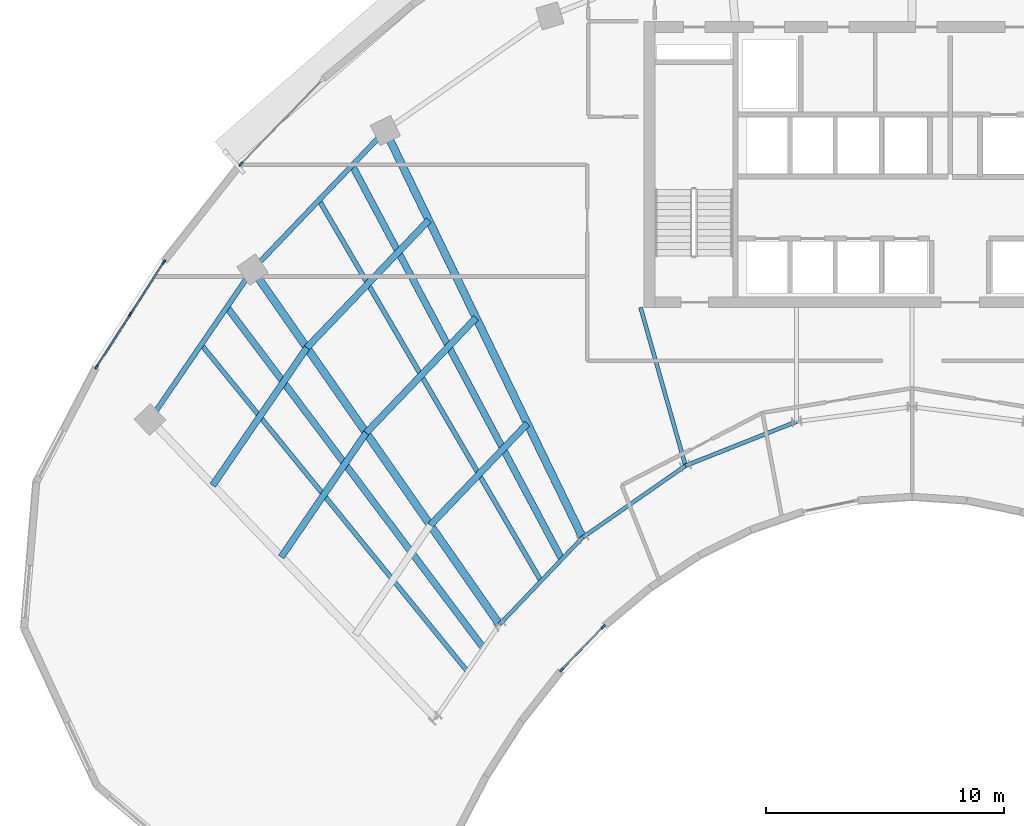
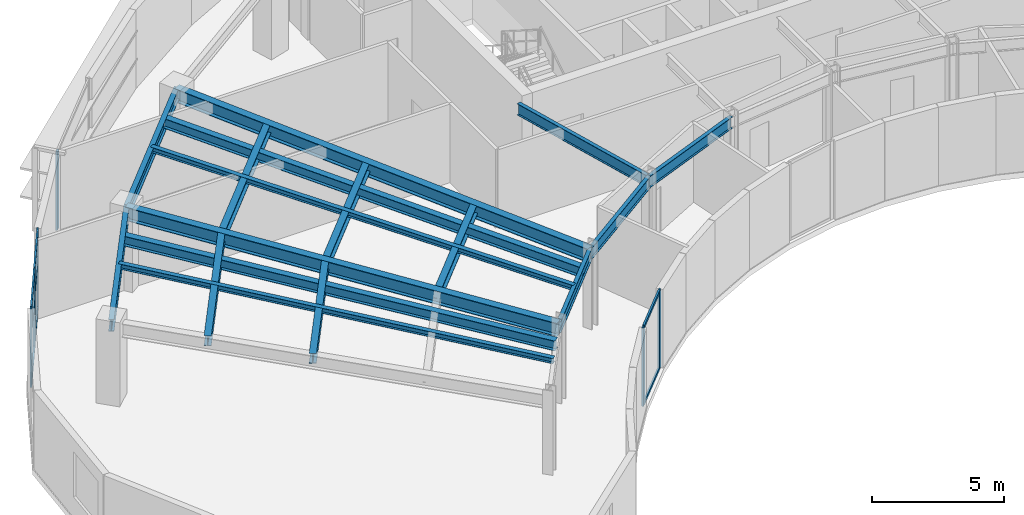
# One storey, part 2 of 13: 17 beams, 14 members, 3 elements without a shape of their own.
"""IFC4 building model written with IfcOpenShell, lengths in metres."""

import ifcopenshell
import ifcopenshell.guid

model = None  # the IFC model being written
_history = None  # IfcOwnerHistory: only IFC2X3 demands one
_inside = {}  # id of a spatial element -> (the spatial element, [elements in it])
_under = {}  # id of a project, library or spatial element -> (it, [spatial elements below it])
_declared = {}  # id of a project -> (the project, [libraries it declares])
_typed = {}  # id of a type object -> (the type object, [elements of that type])
_made_of = {}  # id of a material, layer set ... -> (it, [elements and type objects made of it])


def new_model(schema):
    """Start an empty IFC model of exactly this schema.

    Asked for "IFC4X3", IfcOpenShell would pick the latest addendum, in which some entities
    have other attributes; the version numbers below select the first issue.
    IFC2X3 requires an IfcOwnerHistory on every rooted entity: one is made here for all.
    """
    global model, _history
    if schema == "IFC4X3":
        model = ifcopenshell.file(schema_version=(4, 3, 0, 0))
    else:
        model = ifcopenshell.file(schema=schema)
    _inside.clear()
    _under.clear()
    _declared.clear()
    _typed.clear()
    _made_of.clear()
    _history = None
    if model.schema == "IFC2X3":
        org = make("IfcOrganization", Name="unknown")
        user = make(
            "IfcPersonAndOrganization",
            ThePerson=make("IfcPerson", FamilyName="unknown"),
            TheOrganization=org,
        )
        app = make(
            "IfcApplication",
            ApplicationDeveloper=org,
            Version="unknown",
            ApplicationFullName="unknown",
            ApplicationIdentifier="unknown",
        )
        _history = make(
            "IfcOwnerHistory",
            OwningUser=user,
            OwningApplication=app,
            ChangeAction="ADDED",
            CreationDate=0,
        )
    return model


def make(cls, **values):
    """One entity of the class cls with the attributes given. An attribute that is None is left unset."""
    return model.create_entity(
        cls, **{name: value for name, value in values.items() if value is not None}
    )


def rooted(cls, **values):
    """An entity with a GlobalId (a new one), such as an element, a storey or a relation."""
    return make(cls, GlobalId=ifcopenshell.guid.new(), OwnerHistory=_history, **values)


def si_unit(unit_type, name, prefix=None):
    """IfcSIUnit, for example si_unit("LENGTHUNIT", "METRE", prefix="MILLI")."""
    return make("IfcSIUnit", UnitType=unit_type, Prefix=prefix, Name=name)


def assignment(units):
    """IfcUnitAssignment: the units of a project."""
    return None if units is None else make("IfcUnitAssignment", Units=units)


def point(xyz):
    """IfcCartesianPoint."""
    return None if xyz is None else make("IfcCartesianPoint", Coordinates=xyz)


def direction(xyz):
    """IfcDirection."""
    return None if xyz is None else make("IfcDirection", DirectionRatios=xyz)


def frame(location, z_axis=None, x_axis=None):
    """IfcAxis2Placement3D, a coordinate frame: its origin and axes. An axis left out is left unset."""
    return make(
        "IfcAxis2Placement3D",
        Location=point(location),
        Axis=direction(z_axis),
        RefDirection=direction(x_axis),
    )


def frame_2d(location, x_axis=None):
    """IfcAxis2Placement2D, a coordinate frame in the plane: its origin and x axis."""
    return make(
        "IfcAxis2Placement2D", Location=point(location), RefDirection=direction(x_axis)
    )


def origin():
    """The frame at (0, 0, 0) with its axes left unset."""
    return frame((0.0, 0.0, 0.0))


def origin_2d():
    """The frame at (0, 0) in the plane with its x axis left unset."""
    return frame_2d((0.0, 0.0))


def place(relative_to, where):
    """IfcLocalPlacement: puts the frame where relative to a parent placement (None: the world)."""
    return make(
        "IfcLocalPlacement", PlacementRelTo=relative_to, RelativePlacement=where
    )


def context(
    kind, dimensions, precision=None, world=None, true_north=None, identifier=None
):
    """IfcGeometricRepresentationContext, for example the 3D "Model" context."""
    return make(
        "IfcGeometricRepresentationContext",
        ContextIdentifier=identifier,
        ContextType=kind,
        CoordinateSpaceDimension=dimensions,
        Precision=precision,
        WorldCoordinateSystem=world,
        TrueNorth=true_north,
    )


def subcontext(parent, identifier, kind, view, scale=None):
    """IfcGeometricRepresentationSubContext, for example "Body" below "Model"."""
    return make(
        "IfcGeometricRepresentationSubContext",
        ContextIdentifier=identifier,
        ContextType=kind,
        ParentContext=parent,
        TargetScale=scale,
        TargetView=view,
    )


def project(units=None, contexts=None):
    """IfcProject with its units and contexts."""
    return rooted(
        "IfcProject",
        Name="project",
        RepresentationContexts=contexts,
        UnitsInContext=assignment(units),
    )


def spatial(cls, under=None, at=None, **own):
    """A site, building, storey or space (cls), placed at a placement, below another one or the project."""
    s = rooted(cls, ObjectPlacement=at, **own)
    if under is not None:
        _under.setdefault(under.id(), (under, []))[1].append(s)
    return s


def profile(cls, at=None, kind="AREA", **sizes):
    """A parametric profile (cls). Its sizes go by their IFC names, for example OverallWidth=200.0."""
    return make(cls, ProfileType=kind, Position=at, **sizes)


def rectangle(**sizes):
    """IfcRectangleProfileDef."""
    return profile("IfcRectangleProfileDef", **sizes)


def i_section(**sizes):
    """IfcIShapeProfileDef."""
    return profile("IfcIShapeProfileDef", **sizes)


def extrude(swept, where, along, depth):
    """IfcExtrudedAreaSolid: the profile swept, set in the frame where, extruded along a direction by depth."""
    return make(
        "IfcExtrudedAreaSolid",
        SweptArea=swept,
        Position=where,
        ExtrudedDirection=direction(along),
        Depth=depth,
    )


def shape(context_of_items, identifier, shape_type, items):
    """IfcShapeRepresentation: the items that make up one representation, for example the "Body"."""
    return make(
        "IfcShapeRepresentation",
        ContextOfItems=context_of_items,
        RepresentationIdentifier=identifier,
        RepresentationType=shape_type,
        Items=items,
    )


def source(mapping_origin, context_of_items, identifier, shape_type, items):
    """IfcRepresentationMap: a shape defined once, which mapped items show again and again."""
    return make(
        "IfcRepresentationMap",
        MappingOrigin=mapping_origin,
        MappedRepresentation=shape(context_of_items, identifier, shape_type, items),
    )


def transform(
    local_origin,
    x_axis=None,
    y_axis=None,
    z_axis=None,
    scale=None,
    scale2=None,
    scale3=None,
    uniform=True,
):
    """IfcCartesianTransformationOperator3D, or its non-uniform kind. x_axis, y_axis, z_axis: its Axis1, 2, 3."""
    if uniform:
        return make(
            "IfcCartesianTransformationOperator3D",
            Axis1=direction(x_axis),
            Axis2=direction(y_axis),
            LocalOrigin=point(local_origin),
            Scale=scale,
            Axis3=direction(z_axis),
        )
    return make(
        "IfcCartesianTransformationOperator3DnonUniform",
        Axis1=direction(x_axis),
        Axis2=direction(y_axis),
        LocalOrigin=point(local_origin),
        Scale=scale,
        Axis3=direction(z_axis),
        Scale2=scale2,
        Scale3=scale3,
    )


def mapped(mapping_source, mapping_target):
    """IfcMappedItem: shows the shape of a source again, moved by a transform."""
    return make(
        "IfcMappedItem", MappingSource=mapping_source, MappingTarget=mapping_target
    )


def material(Name=None, Category=None):
    """IfcMaterial."""
    return make("IfcMaterial", Name=Name, Category=Category)


def layer(
    of_material, thickness, ventilated=None, Name=None, Category=None, Priority=None
):
    """IfcMaterialLayer: one layer of a wall or slab, of a material (None: an air gap)."""
    return make(
        "IfcMaterialLayer",
        Material=of_material,
        LayerThickness=thickness,
        IsVentilated=ventilated,
        Name=Name,
        Category=Category,
        Priority=Priority,
    )


def layer_set(layers, Name=None):
    """IfcMaterialLayerSet."""
    return make("IfcMaterialLayerSet", MaterialLayers=layers, LayerSetName=Name)


def material_profile(
    of_material, cross_section, Name=None, Category=None, Priority=None
):
    """IfcMaterialProfile: a cross section and its material."""
    return make(
        "IfcMaterialProfile",
        Name=Name,
        Material=of_material,
        Profile=cross_section,
        Priority=Priority,
        Category=Category,
    )


def profile_set(profiles, Name=None, composite=None):
    """IfcMaterialProfileSet."""
    return make(
        "IfcMaterialProfileSet",
        Name=Name,
        MaterialProfiles=profiles,
        CompositeProfile=composite,
    )


def made_of(thing, what):
    """Note that an element or type object is made of a material, layer set ...; save() writes the relation."""
    if what is not None:
        _made_of.setdefault(what.id(), (what, []))[1].append(thing)
    return thing


def type_object(cls, material=None, **own):
    """A type object (cls), such as IfcWallType, which elements share."""
    return made_of(rooted(cls, **own), material)


def type_shapes(of_type, sources):
    """Give a type object the sources (RepresentationMaps) that its elements show as mapped items."""
    of_type.RepresentationMaps = sources


def element(
    cls,
    number,
    at=None,
    inside=None,
    cuts=None,
    type_object=None,
    material=None,
    context=None,
    identifier="Body",
    shape_type=None,
    held_by="IfcProductDefinitionShape",
    body=None,
    shapes=None,
    **own,
):
    """One element of the class cls, such as IfcWall. Its Tag is "e" and its number.

    at: its placement. inside: the storey or other place that contains it. cuts: it is an
    opening in that element (IfcRelVoidsElement). A single representation is given by context,
    identifier, shape_type and body (its items); several are given by shapes. held_by: the class
    of the entity that holds the representations. save() writes the other relations.
    """
    e = rooted(cls, Tag="e%d" % number, ObjectPlacement=at, **own)
    if body is not None:
        shapes = [shape(context, identifier, shape_type, body)]
    if shapes is not None:
        e.Representation = make(held_by, Representations=shapes)
    if inside is not None:
        _inside.setdefault(inside.id(), (inside, []))[1].append(e)
    if cuts is not None:
        rooted(
            "IfcRelVoidsElement", RelatingBuildingElement=cuts, RelatedOpeningElement=e
        )
    if type_object is not None:
        _typed.setdefault(type_object.id(), (type_object, []))[1].append(e)
    return made_of(e, material)


def aggregate(whole, parts):
    """IfcRelAggregates: a whole, such as a stair, and the parts it consists of."""
    return rooted("IfcRelAggregates", RelatingObject=whole, RelatedObjects=parts)


def save(model, path):
    """Write the relations noted so far, then the file.

    IfcRelAggregates (storeys below a building ...), IfcRelContainedInSpatialStructure (elements
    in a storey), IfcRelDefinesByType, IfcRelAssociatesMaterial and IfcRelDeclares: one each for
    every whole, place, type object, material and project.
    """
    for whole, parts in _under.values():
        aggregate(whole, parts)
    for where, things in _inside.values():
        rooted(
            "IfcRelContainedInSpatialStructure",
            RelatedElements=things,
            RelatingStructure=where,
        )
    for kind, things in _typed.values():
        rooted("IfcRelDefinesByType", RelatedObjects=things, RelatingType=kind)
    for what, things in _made_of.values():
        rooted("IfcRelAssociatesMaterial", RelatedObjects=things, RelatingMaterial=what)
    for by, libraries in _declared.values():
        rooted("IfcRelDeclares", RelatingContext=by, RelatedDefinitions=libraries)
    model.write(path)


model = new_model("IFC4")

# Units and contexts
model_context = context("Model", 3, precision=1e-05, world=origin(), true_north=direction((0.0, 1.0)))
body_context = subcontext(model_context, "Body", "Model", "MODEL_VIEW")
ifc_project = project(units=[si_unit("LENGTHUNIT", "METRE"), si_unit("AREAUNIT", "SQUARE_METRE"), si_unit("VOLUMEUNIT", "CUBIC_METRE"), si_unit("PLANEANGLEUNIT", "RADIAN"), si_unit("MASSUNIT", "GRAM", prefix="KILO")], contexts=[model_context])

# Site, building, storey
site_placement = place(None, origin())
site = spatial("IfcSite", under=ifc_project, at=site_placement, CompositionType="ELEMENT")
building_placement = place(site_placement, origin())
building = spatial("IfcBuilding", under=site, at=building_placement, Name="Breltana Convention Tower", CompositionType="ELEMENT")
storey_placement = place(building_placement, frame((0.0, 0.0, 204.0)))
storey = spatial("IfcBuildingStorey", under=building, at=storey_placement, Name="L49", CompositionType="ELEMENT", Elevation=204.0)

# Beams
ifc_material_1 = material(Name="Steel ASTM A992 Grade 50", Category="steel")
ifc_material_profile_1 = material_profile(ifc_material_1, i_section(OverallWidth=0.280029296875, OverallDepth=0.462890625, WebThickness=0.0107421875, FlangeThickness=0.017333984375, at=origin_2d()), Name="W18X76")
ifc_profile_set_1 = profile_set([ifc_material_profile_1], Name="Steel ASTM A992 Grade 50")
beam_type_1 = type_object("IfcBeamType", Name="BM-JSG-06", PredefinedType="JOIST", material=ifc_profile_set_1)
shared_shape_1 = source(origin(), body_context, "Body", "SweptSolid", [
    extrude(i_section(OverallWidth=0.280029296875, OverallDepth=0.462890625, WebThickness=0.0107421875, FlangeThickness=0.017333984375, at=origin_2d()), origin(), (0.0, 0.0, 1.0), 6.311767578125),
])
beam_1_placement = place(storey_placement, frame((21.5166015625, 49.72607421875, 3.408447265625), z_axis=(0.564453712577, 0.825464721449, 0.0), x_axis=(-0.825464721449, 0.564453712577, 0.0)))
element("IfcBeam", 1, at=beam_1_placement, inside=storey, type_object=beam_type_1, Name="L49 Composite Floor Joist 01.2", PredefinedType="JOIST", context=body_context, shape_type="MappedRepresentation", body=[
    mapped(shared_shape_1, transform((0.0, 0.0, 0.0), scale=1.0)),
])
shared_shape_2 = source(origin(), body_context, "Body", "SweptSolid", [
    extrude(i_section(OverallWidth=0.280029296875, OverallDepth=0.462890625, WebThickness=0.0107421875, FlangeThickness=0.017333984375, at=origin_2d()), origin(), (0.0, 0.0, 1.0), 6.997314453125),
])
beam_2_placement = place(storey_placement, frame((18.641845703125, 52.735595703125, 3.408447265625), z_axis=(0.564468756361, 0.825454434292, 0.0), x_axis=(-0.825454434292, 0.564468756361, 0.0)))
element("IfcBeam", 2, at=beam_2_placement, inside=storey, type_object=beam_type_1, Name="L49 Composite Floor Joist 01.3", PredefinedType="JOIST", context=body_context, shape_type="MappedRepresentation", body=[
    mapped(shared_shape_2, transform((0.0, 0.0, 0.0), scale=1.0)),
])
ifc_material_profile_2 = material_profile(ifc_material_1, i_section(OverallWidth=0.201904296875, OverallDepth=0.2470703125, WebThickness=0.00732421875, FlangeThickness=0.010986328125, at=origin_2d()), Name="W10X33")
ifc_profile_set_2 = profile_set([ifc_material_profile_2], Name="Steel ASTM A992 Grade 50")
beam_type_2 = type_object("IfcBeamType", Name="BM-JSG-11", PredefinedType="JOIST", material=ifc_profile_set_2)
shared_shape_3 = source(origin(), body_context, "Body", "SweptSolid", [
    extrude(i_section(OverallWidth=0.201904296875, OverallDepth=0.2470703125, WebThickness=0.00732421875, FlangeThickness=0.010986328125, at=origin_2d()), origin(), (0.0, 0.0, 1.0), 17.691650390625),
])
type_shapes(beam_type_2, [shared_shape_3])
beam_3_placement = place(storey_placement, frame((29.330810546875, 44.923583984375, 3.5166015625), z_axis=(-0.631476958478, 0.775394642044, 0.0), x_axis=(-0.775394642044, -0.631476958478, 0.0)))
element("IfcBeam", 3, at=beam_3_placement, inside=storey, type_object=beam_type_2, Name="L49 Mid-Bay Radial Trimmer 01", PredefinedType="JOIST", context=body_context, shape_type="MappedRepresentation", body=[
    mapped(shared_shape_3, transform((0.0, 0.0, 0.0), scale=1.0)),
])
shared_shape_4 = source(origin(), body_context, "Body", "SweptSolid", [
    extrude(i_section(OverallWidth=0.280029296875, OverallDepth=0.462890625, WebThickness=0.0107421875, FlangeThickness=0.017333984375, at=origin_2d()), origin(), (0.0, 0.0, 1.0), 17.9072265625),
])
beam_4_placement = place(storey_placement, frame((30.00390625, 45.907958984375, 3.408447265625), z_axis=(-0.601382105028, 0.798961553363, 0.0), x_axis=(-0.798961553363, -0.601382105028, 0.0)))
element("IfcBeam", 4, at=beam_4_placement, inside=storey, type_object=beam_type_1, Name="L49 Quarter-Bay Radial Trimmer 01", PredefinedType="JOIST", context=body_context, shape_type="MappedRepresentation", body=[
    mapped(shared_shape_4, transform((0.0, 0.0, 0.0), scale=1.0)),
])
shared_shape_5 = source(origin(), body_context, "Body", "SweptSolid", [
    extrude(i_section(OverallWidth=0.280029296875, OverallDepth=0.462890625, WebThickness=0.0107421875, FlangeThickness=0.017333984375, at=origin_2d()), origin(), (0.0, 0.0, 1.0), 5.8974609375),
])
beam_5_placement = place(storey_placement, frame((27.774658203125, 51.063232421875, 3.408447265625), z_axis=(0.690713978666, 0.723128065888, 0.0), x_axis=(-0.723128065888, 0.690713978666, 0.0)))
element("IfcBeam", 5, at=beam_5_placement, inside=storey, type_object=beam_type_1, Name="L49 Composite Floor Joist 02.1", PredefinedType="JOIST", context=body_context, shape_type="MappedRepresentation", body=[
    mapped(shared_shape_5, transform((0.0, 0.0, 0.0), scale=1.0)),
])
shared_shape_6 = source(origin(), body_context, "Body", "SweptSolid", [
    extrude(i_section(OverallWidth=0.280029296875, OverallDepth=0.462890625, WebThickness=0.0107421875, FlangeThickness=0.017333984375, at=origin_2d()), origin(), (0.0, 0.0, 1.0), 6.68359375),
])
beam_6_placement = place(storey_placement, frame((25.079345703125, 54.936279296875, 3.408447265625), z_axis=(0.690720705885, 0.723121640156, 0.0), x_axis=(-0.723121640156, 0.690720705885, 0.0)))
element("IfcBeam", 6, at=beam_6_placement, inside=storey, type_object=beam_type_1, Name="L49 Composite Floor Joist 02.2", PredefinedType="JOIST", context=body_context, shape_type="MappedRepresentation", body=[
    mapped(shared_shape_6, transform((0.0, 0.0, 0.0), scale=1.0)),
])
shared_shape_7 = source(origin(), body_context, "Body", "SweptSolid", [
    extrude(i_section(OverallWidth=0.280029296875, OverallDepth=0.462890625, WebThickness=0.0107421875, FlangeThickness=0.017333984375, at=origin_2d()), origin(), (0.0, 0.0, 1.0), 7.40869140625),
])
beam_7_placement = place(storey_placement, frame((22.591552734375, 58.511474609375, 3.408447265625), z_axis=(0.690724936208, 0.723117599358, 0.0), x_axis=(-0.723117599358, 0.690724936208, 0.0)))
element("IfcBeam", 7, at=beam_7_placement, inside=storey, type_object=beam_type_1, Name="L49 Composite Floor Joist 02.3", PredefinedType="JOIST", context=body_context, shape_type="MappedRepresentation", body=[
    mapped(shared_shape_7, transform((0.0, 0.0, 0.0), scale=1.0)),
])
shared_shape_8 = source(origin(), body_context, "Body", "SweptSolid", [
    extrude(i_section(OverallWidth=0.201904296875, OverallDepth=0.2470703125, WebThickness=0.00732421875, FlangeThickness=0.010986328125, at=origin_2d()), origin(), (0.0, 0.0, 1.0), 18.50830078125),
])
beam_8_placement = place(storey_placement, frame((32.421630859375, 48.71875, 3.5166015625), z_axis=(-0.50368319637, 0.863888440537, 0.0), x_axis=(-0.863888440537, -0.50368319637, 0.0)))
element("IfcBeam", 8, at=beam_8_placement, inside=storey, type_object=beam_type_2, Name="L49 Mid-Bay Radial Trimmer 02", PredefinedType="JOIST", context=body_context, shape_type="MappedRepresentation", body=[
    mapped(shared_shape_8, transform((0.0, 0.0, 0.0), scale=1.0)),
])
shared_shape_9 = source(origin(), body_context, "Body", "SweptSolid", [
    extrude(i_section(OverallWidth=0.280029296875, OverallDepth=0.462890625, WebThickness=0.0107421875, FlangeThickness=0.017333984375, at=origin_2d()), origin(), (0.0, 0.0, 1.0), 18.731689453125),
])
beam_9_placement = place(storey_placement, frame((33.2939453125, 49.6318359375, 3.408447265625), z_axis=(-0.469820250451, 0.882762104004, 0.0), x_axis=(-0.882762104004, -0.469820250451, 0.0)))
element("IfcBeam", 9, at=beam_9_placement, inside=storey, type_object=beam_type_1, Name="L49 Quarter-Bay Radial Trimmer 02", PredefinedType="JOIST", context=body_context, shape_type="MappedRepresentation", body=[
    mapped(shared_shape_9, transform((0.0, 0.0, 0.0), scale=1.0)),
])
ifc_material_profile_3 = material_profile(ifc_material_1, i_section(OverallWidth=0.166015625, OverallDepth=0.534912109375, WebThickness=0.01025390625, FlangeThickness=0.0166015625, at=origin_2d()), Name="W21X57")
ifc_profile_set_3 = profile_set([ifc_material_profile_3], Name="Steel ASTM A992 Grade 50")
beam_type_3 = type_object("IfcBeamType", Name="BM-BM-W21X57", PredefinedType="BEAM", material=ifc_profile_set_3)
shared_shape_10 = source(origin(), body_context, "Body", "SweptSolid", [
    extrude(i_section(OverallWidth=0.166015625, OverallDepth=0.534912109375, WebThickness=0.01025390625, FlangeThickness=0.0166015625, at=origin_2d()), origin(), (0.0, 0.0, 1.0), 6.904541015625),
])
type_shapes(beam_type_3, [shared_shape_10])
beam_10_placement = place(storey_placement, frame((36.60009765625, 60.199951171875, 3.37255859375), z_axis=(0.273006781054, -0.962012108811, 0.0), x_axis=(0.962012108811, 0.273006781054, 0.0)))
element("IfcBeam", 10, at=beam_10_placement, inside=storey, type_object=beam_type_3, Name="L49 South Core Tie Girder R04", PredefinedType="BEAM", context=body_context, shape_type="MappedRepresentation", body=[
    mapped(shared_shape_10, transform((0.0, 0.0, 0.0), scale=1.0)),
])
shared_shape_11 = source(origin(), body_context, "Body", "SweptSolid", [
    extrude(i_section(OverallWidth=0.166015625, OverallDepth=0.534912109375, WebThickness=0.01025390625, FlangeThickness=0.0166015625, at=origin_2d()), origin(), (0.0, 0.0, 1.0), 5.05126953125),
])
beam_11_placement = place(storey_placement, frame((30.67724609375, 46.892333984375, 3.37255859375), z_axis=(0.690729753845, 0.7231129975, 0.0), x_axis=(-0.7231129975, 0.690729753845, 0.0)))
element("IfcBeam", 11, at=beam_11_placement, inside=storey, type_object=beam_type_3, Name="L49 Inner Ring Beam 02", PredefinedType="BEAM", context=body_context, shape_type="MappedRepresentation", body=[
    mapped(shared_shape_11, transform((0.0, 0.0, 0.0), scale=1.0)),
])
shared_shape_12 = source(origin(), body_context, "Body", "SweptSolid", [
    extrude(i_section(OverallWidth=0.166015625, OverallDepth=0.534912109375, WebThickness=0.01025390625, FlangeThickness=0.0166015625, at=origin_2d()), origin(), (0.0, 0.0, 1.0), 5.265869140625),
])
beam_12_placement = place(storey_placement, frame((34.166259765625, 50.544921875, 3.37255859375), z_axis=(0.820167429517, 0.572123577176, 0.0), x_axis=(-0.572123577176, 0.820167429517, 0.0)))
element("IfcBeam", 12, at=beam_12_placement, inside=storey, type_object=beam_type_3, Name="L49 Inner Ring Beam 03", PredefinedType="BEAM", context=body_context, shape_type="MappedRepresentation", body=[
    mapped(shared_shape_12, transform((0.0, 0.0, 0.0), scale=1.0)),
])
shared_shape_13 = source(origin(), body_context, "Body", "SweptSolid", [
    extrude(i_section(OverallWidth=0.166015625, OverallDepth=0.534912109375, WebThickness=0.01025390625, FlangeThickness=0.0166015625, at=origin_2d()), origin(), (0.0, 0.0, 1.0), 5.022705078125),
])
beam_13_placement = place(storey_placement, frame((38.485107421875, 53.5576171875, 3.37255859375), z_axis=(0.929458966248, 0.368925507469, 0.0), x_axis=(-0.368925507469, 0.929458966248, 0.0)))
element("IfcBeam", 13, at=beam_13_placement, inside=storey, type_object=beam_type_3, Name="L49 Inner Ring Beam 04", PredefinedType="BEAM", context=body_context, shape_type="MappedRepresentation", body=[
    mapped(shared_shape_13, transform((0.0, 0.0, 0.0), scale=1.0)),
])
ifc_material_profile_4 = material_profile(ifc_material_1, i_section(OverallWidth=0.326904296875, OverallDepth=0.6220703125, WebThickness=0.015380859375, FlangeThickness=0.0244140625, at=origin_2d()), Name="W24X131")
ifc_profile_set_4 = profile_set([ifc_material_profile_4], Name="Steel ASTM A992 Grade 50")
beam_type_4 = type_object("IfcBeamType", Name="BM-RG-W24X131", PredefinedType="USERDEFINED", material=ifc_profile_set_4)
shared_shape_14 = source(origin(), body_context, "Body", "SweptSolid", [
    extrude(i_section(OverallWidth=0.326904296875, OverallDepth=0.6220703125, WebThickness=0.015380859375, FlangeThickness=0.0244140625, at=origin_2d()), origin(), (0.0, 0.0, 1.0), 18.1484375),
])
beam_14_placement = place(storey_placement, frame((30.67724609375, 46.892333984375, 3.3291015625), z_axis=(-0.571207556098, 0.820805657788, 0.0), x_axis=(-0.820805657788, -0.571207556098, 0.0)))
element("IfcBeam", 14, at=beam_14_placement, inside=storey, type_object=beam_type_4, Name="L49 Radial Floor Girder R02", ObjectType="GIRDER", PredefinedType="USERDEFINED", context=body_context, shape_type="MappedRepresentation", body=[
    mapped(shared_shape_14, transform((0.0, 0.0, 0.0), scale=1.0)),
])
shared_shape_15 = source(origin(), body_context, "Body", "SweptSolid", [
    extrude(i_section(OverallWidth=0.326904296875, OverallDepth=0.6220703125, WebThickness=0.015380859375, FlangeThickness=0.0244140625, at=origin_2d()), origin(), (0.0, 0.0, 1.0), 18.982421875),
])
beam_15_placement = place(storey_placement, frame((34.166259765625, 50.544921875, 3.3291015625), z_axis=(-0.436118560343, 0.89988921614, 0.0), x_axis=(-0.89988921614, -0.436118560343, 0.0)))
element("IfcBeam", 15, at=beam_15_placement, inside=storey, type_object=beam_type_4, Name="L49 Radial Floor Girder R03", ObjectType="GIRDER", PredefinedType="USERDEFINED", context=body_context, shape_type="MappedRepresentation", body=[
    mapped(shared_shape_15, transform((0.0, 0.0, 0.0), scale=1.0)),
])
ifc_material_profile_5 = material_profile(ifc_material_1, i_section(OverallWidth=0.214111328125, OverallDepth=0.549072265625, WebThickness=0.0146484375, FlangeThickness=0.023681640625, at=origin_2d()), Name="W21X93")
ifc_profile_set_5 = profile_set([ifc_material_profile_5], Name="Steel ASTM A992 Grade 50")
beam_type_5 = type_object("IfcBeamType", Name="BM-SP-W21X93", PredefinedType="SPANDREL", material=ifc_profile_set_5)
shared_shape_16 = source(origin(), body_context, "Body", "SweptSolid", [
    extrude(i_section(OverallWidth=0.214111328125, OverallDepth=0.549072265625, WebThickness=0.0146484375, FlangeThickness=0.023681640625, at=origin_2d()), origin(), (0.0, 0.0, 1.0), 7.625),
])
type_shapes(beam_type_5, [shared_shape_16])
beam_16_placement = place(storey_placement, frame((16.0068359375, 55.494384765625, 3.365478515625), z_axis=(0.564452031902, 0.825465870694, 0.0), x_axis=(-0.825465870694, 0.564452031902, 0.0)))
element("IfcBeam", 16, at=beam_16_placement, inside=storey, type_object=beam_type_5, Name="L49 Outer Spandrel Beam 01", PredefinedType="SPANDREL", context=body_context, shape_type="MappedRepresentation", body=[
    mapped(shared_shape_16, transform((0.0, 0.0, 0.0), scale=1.0)),
])
shared_shape_17 = source(origin(), body_context, "Body", "SweptSolid", [
    extrude(i_section(OverallWidth=0.214111328125, OverallDepth=0.549072265625, WebThickness=0.0146484375, FlangeThickness=0.023681640625, at=origin_2d()), origin(), (0.0, 0.0, 1.0), 8.073974609375),
])
beam_17_placement = place(storey_placement, frame((20.310791015625, 61.78857421875, 3.365478515625), z_axis=(0.69072885448, 0.723113856588, 0.0), x_axis=(-0.723113856588, 0.69072885448, 0.0)))
element("IfcBeam", 17, at=beam_17_placement, inside=storey, type_object=beam_type_5, Name="L49 Outer Spandrel Beam 02", PredefinedType="SPANDREL", context=body_context, shape_type="MappedRepresentation", body=[
    mapped(shared_shape_17, transform((0.0, 0.0, 0.0), scale=1.0)),
])

# Curtain wall, members
ifc_material_2 = material(Name="Aluminium Anodised Bronze Frame", Category="aluminium")
ifc_layer_1 = layer(ifc_material_2, 0.18994140625, Name="Aluminium Anodised Bronze Frame")
ifc_layer_set_1 = layer_set([ifc_layer_1], Name="Aluminium Anodised Bronze Frame")
curtain_wall_type_1 = type_object("IfcCurtainWallType", Name="CW-SYS-1", PredefinedType="NOTDEFINED", material=ifc_layer_set_1)
curtain_wall_1_placement = place(storey_placement, origin())
curtain_wall_1 = element("IfcCurtainWall", 18, at=curtain_wall_1_placement, inside=storey, type_object=curtain_wall_type_1, Name="L49 inner south-court glazing 5", PredefinedType="NOTDEFINED")
ifc_material_3 = material(Name="Aluminium Anodised Bronze", Category="aluminium")
ifc_material_profile_6 = material_profile(ifc_material_3, rectangle(XDim=0.080078125, YDim=0.139892578125, at=origin_2d()), Name="CWT-80X140")
ifc_profile_set_6 = profile_set([ifc_material_profile_6], Name="Aluminium Anodised Bronze")
member_type_1 = type_object("IfcMemberType", Name="CWT-140", PredefinedType="USERDEFINED", material=ifc_profile_set_6)
shared_shape_18 = source(origin(), body_context, "Body", "SweptSolid", [
    extrude(rectangle(XDim=0.080078125, YDim=0.139892578125, at=origin_2d()), origin(), (0.0, 0.0, 1.0), 2.427490234375),
])
member_1_placement = place(storey_placement, frame((35.00244140625, 46.77001953125, 0.0400390625), z_axis=(-0.694628613474, -0.719368535135, 0.0), x_axis=(0.719368535135, -0.694628613474, 0.0)))
member_1 = element("IfcMember", 19, at=member_1_placement, type_object=member_type_1, Name="CW-01 transom 1.1", ObjectType="TRANSOM", PredefinedType="USERDEFINED", context=body_context, shape_type="MappedRepresentation", body=[
    mapped(shared_shape_18, transform((0.0, 0.0, 0.0), scale=1.0)),
])
member_2_placement = place(storey_placement, frame((35.00244140625, 46.77001953125, 3.60009765625), z_axis=(-0.694628613474, -0.719368535135, 0.0), x_axis=(0.719368535135, -0.694628613474, 0.0)))
member_2 = element("IfcMember", 20, at=member_2_placement, type_object=member_type_1, Name="CW-01 transom 1.2", ObjectType="TRANSOM", PredefinedType="USERDEFINED", context=body_context, shape_type="MappedRepresentation", body=[
    mapped(shared_shape_18, transform((0.0, 0.0, 0.0), scale=1.0)),
])
ifc_material_profile_7 = material_profile(ifc_material_3, rectangle(XDim=0.080078125, YDim=0.199951171875, at=origin_2d()), Name="CWM-80X200")
ifc_profile_set_7 = profile_set([ifc_material_profile_7], Name="Aluminium Anodised Bronze")
member_type_2 = type_object("IfcMemberType", Name="CWM-200", PredefinedType="MULLION", material=ifc_profile_set_7)
shared_shape_19 = source(origin(), body_context, "Body", "SweptSolid", [
    extrude(rectangle(XDim=0.080078125, YDim=0.199951171875, at=origin_2d()), origin(), (0.0, 0.0, 1.0), 3.639892578125),
])
member_3_placement = place(storey_placement, frame((35.0302734375, 46.798828125, 0.0), z_axis=(0.0, 0.0, 1.0), x_axis=(0.719365500595, -0.694631756079, 0.0)))
member_3 = element("IfcMember", 21, at=member_3_placement, type_object=member_type_2, Name="CW-01 mullion 1", PredefinedType="MULLION", context=body_context, shape_type="MappedRepresentation", body=[
    mapped(shared_shape_19, transform((0.0, 0.0, 0.0), scale=1.0)),
])
member_4_placement = place(storey_placement, frame((33.288330078125, 44.994873046875, 0.0), z_axis=(0.0, 0.0, 1.0), x_axis=(0.719365500595, -0.694631756079, 0.0)))
member_4 = element("IfcMember", 22, at=member_4_placement, type_object=member_type_2, Name="CW-01 mullion 2", PredefinedType="MULLION", context=body_context, shape_type="MappedRepresentation", body=[
    mapped(shared_shape_19, transform((0.0, 0.0, 0.0), scale=1.0)),
])
aggregate(curtain_wall_1, [member_3, member_4, member_1, member_2])

ifc_layer_2 = layer(ifc_material_2, 0.219970703125, Name="Aluminium Anodised Bronze Frame")
ifc_layer_set_2 = layer_set([ifc_layer_2], Name="Aluminium Anodised Bronze Frame")
curtain_wall_type_2 = type_object("IfcCurtainWallType", Name="CW-SYS-4", PredefinedType="NOTDEFINED", material=ifc_layer_set_2)
curtain_wall_2_placement = place(storey_placement, origin())
curtain_wall_2 = element("IfcCurtainWall", 23, at=curtain_wall_2_placement, inside=storey, type_object=curtain_wall_type_2, Name="L49 outer double-skin inner glazing 1", PredefinedType="NOTDEFINED")
member_5_placement = place(storey_placement, frame((13.76611328125, 57.710693359375, 0.0), z_axis=(0.0, 0.0, 1.0), x_axis=(-0.84154835428, 0.540181791075, 0.0)))
member_5 = element("IfcMember", 24, at=member_5_placement, type_object=member_type_2, Name="CW-04 mullion 1", PredefinedType="MULLION", context=body_context, shape_type="MappedRepresentation", body=[
    mapped(shared_shape_19, transform((0.0, 0.0, 0.0), scale=1.0)),
])
member_6_placement = place(storey_placement, frame((15.1767578125, 59.908203125, 0.0), z_axis=(0.0, 0.0, 1.0), x_axis=(-0.84154835428, 0.540181791075, 0.0)))
member_6 = element("IfcMember", 25, at=member_6_placement, type_object=member_type_2, Name="CW-04 mullion 2", PredefinedType="MULLION", context=body_context, shape_type="MappedRepresentation", body=[
    mapped(shared_shape_19, transform((0.0, 0.0, 0.0), scale=1.0)),
])
member_7_placement = place(storey_placement, frame((16.58740234375, 62.10595703125, 0.0), z_axis=(0.0, 0.0, 1.0), x_axis=(-0.84154835428, 0.540181791075, 0.0)))
member_7 = element("IfcMember", 26, at=member_7_placement, type_object=member_type_2, Name="CW-04 mullion 3", PredefinedType="MULLION", context=body_context, shape_type="MappedRepresentation", body=[
    mapped(shared_shape_19, transform((0.0, 0.0, 0.0), scale=1.0)),
])

# Curtain wall, member
curtain_wall_3_placement = place(storey_placement, origin())
curtain_wall_3 = element("IfcCurtainWall", 27, at=curtain_wall_3_placement, inside=storey, type_object=curtain_wall_type_2, Name="L49 outer double-skin inner glazing 2", PredefinedType="NOTDEFINED")
member_8_placement = place(storey_placement, frame((19.822265625, 66.218994140625, 0.0), z_axis=(0.0, 0.0, 1.0), x_axis=(-0.719396292115, 0.694599866751, 0.0)))
member_8 = element("IfcMember", 28, at=member_8_placement, type_object=member_type_2, Name="CW-04 mullion 1", PredefinedType="MULLION", context=body_context, shape_type="MappedRepresentation", body=[
    mapped(shared_shape_19, transform((0.0, 0.0, 0.0), scale=1.0)),
])
aggregate(curtain_wall_3, [member_8])

# Member
ifc_material_profile_8 = material_profile(ifc_material_3, rectangle(XDim=0.070068359375, YDim=0.1201171875, at=origin_2d()), Name="CWT-70X120")
ifc_profile_set_8 = profile_set([ifc_material_profile_8], Name="Aluminium Anodised Bronze")
member_type_3 = type_object("IfcMemberType", Name="CWT-120", PredefinedType="USERDEFINED", material=ifc_profile_set_8)
shared_shape_20 = source(origin(), body_context, "Body", "SweptSolid", [
    extrude(rectangle(XDim=0.070068359375, YDim=0.1201171875, at=origin_2d()), origin(), (0.0, 0.0, 1.0), 2.531494140625),
])
member_9_placement = place(storey_placement, frame((13.787841796875, 57.744384765625, 0.034912109375), z_axis=(0.540172540617, 0.841554291988, 0.0), x_axis=(-0.841554291988, 0.540172540617, 0.0)))
member_9 = element("IfcMember", 29, at=member_9_placement, type_object=member_type_3, Name="CW-04 transom 1.1", ObjectType="TRANSOM", PredefinedType="USERDEFINED", context=body_context, shape_type="MappedRepresentation", body=[
    mapped(shared_shape_20, transform((0.0, 0.0, 0.0), scale=1.0)),
])

member_10_placement = place(storey_placement, frame((13.787841796875, 57.744384765625, 2.365966796875), z_axis=(0.540172540617, 0.841554291988, 0.0), x_axis=(-0.841554291988, 0.540172540617, 0.0)))
member_10 = element("IfcMember", 30, at=member_10_placement, type_object=member_type_3, Name="CW-04 transom 1.2", ObjectType="TRANSOM", PredefinedType="USERDEFINED", context=body_context, shape_type="MappedRepresentation", body=[
    mapped(shared_shape_20, transform((0.0, 0.0, 0.0), scale=1.0)),
])

member_11_placement = place(storey_placement, frame((13.787841796875, 57.744384765625, 3.60498046875), z_axis=(0.540172540617, 0.841554291988, 0.0), x_axis=(-0.841554291988, 0.540172540617, 0.0)))
member_11 = element("IfcMember", 31, at=member_11_placement, type_object=member_type_3, Name="CW-04 transom 1.3", ObjectType="TRANSOM", PredefinedType="USERDEFINED", context=body_context, shape_type="MappedRepresentation", body=[
    mapped(shared_shape_20, transform((0.0, 0.0, 0.0), scale=1.0)),
])

member_12_placement = place(storey_placement, frame((15.198486328125, 59.94189453125, 0.034912109375), z_axis=(0.540172540617, 0.841554291988, 0.0), x_axis=(-0.841554291988, 0.540172540617, 0.0)))
member_12 = element("IfcMember", 32, at=member_12_placement, type_object=member_type_3, Name="CW-04 transom 2.1", ObjectType="TRANSOM", PredefinedType="USERDEFINED", context=body_context, shape_type="MappedRepresentation", body=[
    mapped(shared_shape_20, transform((0.0, 0.0, 0.0), scale=1.0)),
])

member_13_placement = place(storey_placement, frame((15.198486328125, 59.94189453125, 2.365966796875), z_axis=(0.540172540617, 0.841554291988, 0.0), x_axis=(-0.841554291988, 0.540172540617, 0.0)))
member_13 = element("IfcMember", 33, at=member_13_placement, type_object=member_type_3, Name="CW-04 transom 2.2", ObjectType="TRANSOM", PredefinedType="USERDEFINED", context=body_context, shape_type="MappedRepresentation", body=[
    mapped(shared_shape_20, transform((0.0, 0.0, 0.0), scale=1.0)),
])

member_14_placement = place(storey_placement, frame((15.198486328125, 59.94189453125, 3.60498046875), z_axis=(0.540172540617, 0.841554291988, 0.0), x_axis=(-0.841554291988, 0.540172540617, 0.0)))
member_14 = element("IfcMember", 34, at=member_14_placement, type_object=member_type_3, Name="CW-04 transom 2.3", ObjectType="TRANSOM", PredefinedType="USERDEFINED", context=body_context, shape_type="MappedRepresentation", body=[
    mapped(shared_shape_20, transform((0.0, 0.0, 0.0), scale=1.0)),
])

aggregate(curtain_wall_2, [member_5, member_6, member_7, member_9, member_10, member_11, member_12, member_13, member_14])

save(model, "model.ifc")
